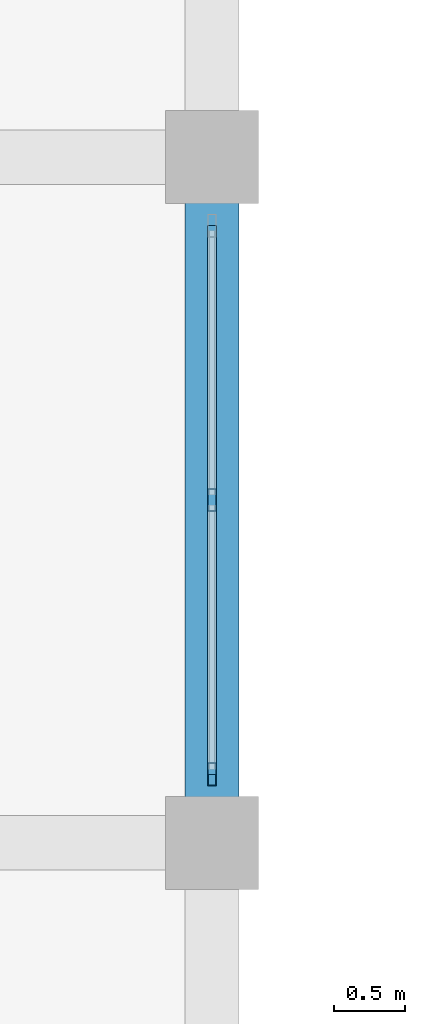
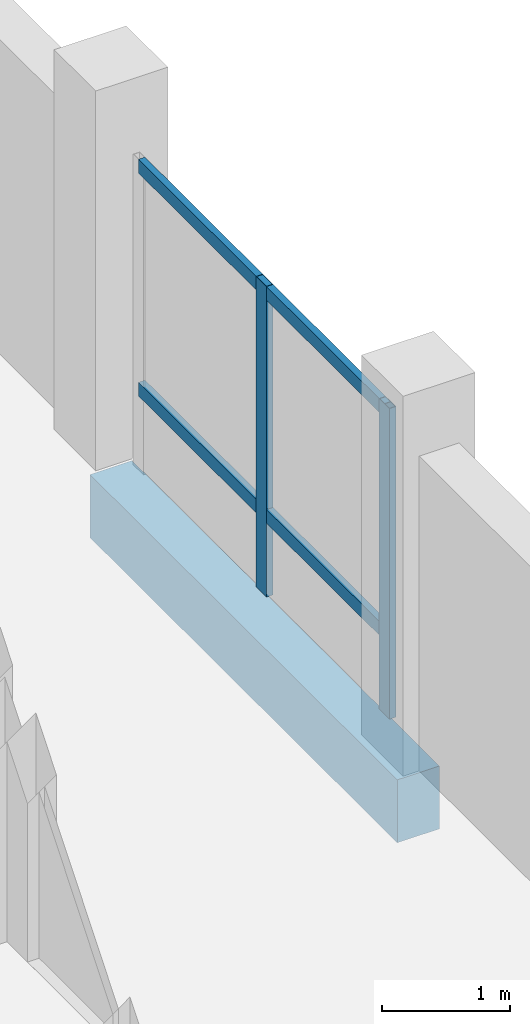
# One storey, part 11 of 93: 4 members, 1 beam, 1 element without a shape of its own.
"""IFC4 building model written with IfcOpenShell, lengths in metres."""

import ifcopenshell
import ifcopenshell.guid

model = None  # the IFC model being written
_history = None  # IfcOwnerHistory: only IFC2X3 demands one
_inside = {}  # id of a spatial element -> (the spatial element, [elements in it])
_under = {}  # id of a project, library or spatial element -> (it, [spatial elements below it])
_declared = {}  # id of a project -> (the project, [libraries it declares])
_typed = {}  # id of a type object -> (the type object, [elements of that type])
_made_of = {}  # id of a material, layer set ... -> (it, [elements and type objects made of it])


def new_model(schema):
    """Start an empty IFC model of exactly this schema.

    Asked for "IFC4X3", IfcOpenShell would pick the latest addendum, in which some entities
    have other attributes; the version numbers below select the first issue.
    IFC2X3 requires an IfcOwnerHistory on every rooted entity: one is made here for all.
    """
    global model, _history
    if schema == "IFC4X3":
        model = ifcopenshell.file(schema_version=(4, 3, 0, 0))
    else:
        model = ifcopenshell.file(schema=schema)
    _inside.clear()
    _under.clear()
    _declared.clear()
    _typed.clear()
    _made_of.clear()
    _history = None
    if model.schema == "IFC2X3":
        org = make("IfcOrganization", Name="unknown")
        user = make(
            "IfcPersonAndOrganization",
            ThePerson=make("IfcPerson", FamilyName="unknown"),
            TheOrganization=org,
        )
        app = make(
            "IfcApplication",
            ApplicationDeveloper=org,
            Version="unknown",
            ApplicationFullName="unknown",
            ApplicationIdentifier="unknown",
        )
        _history = make(
            "IfcOwnerHistory",
            OwningUser=user,
            OwningApplication=app,
            ChangeAction="ADDED",
            CreationDate=0,
        )
    return model


def make(cls, **values):
    """One entity of the class cls with the attributes given. An attribute that is None is left unset."""
    return model.create_entity(
        cls, **{name: value for name, value in values.items() if value is not None}
    )


def rooted(cls, **values):
    """An entity with a GlobalId (a new one), such as an element, a storey or a relation."""
    return make(cls, GlobalId=ifcopenshell.guid.new(), OwnerHistory=_history, **values)


def si_unit(unit_type, name, prefix=None):
    """IfcSIUnit, for example si_unit("LENGTHUNIT", "METRE", prefix="MILLI")."""
    return make("IfcSIUnit", UnitType=unit_type, Prefix=prefix, Name=name)


def assignment(units):
    """IfcUnitAssignment: the units of a project."""
    return None if units is None else make("IfcUnitAssignment", Units=units)


def point(xyz):
    """IfcCartesianPoint."""
    return None if xyz is None else make("IfcCartesianPoint", Coordinates=xyz)


def direction(xyz):
    """IfcDirection."""
    return None if xyz is None else make("IfcDirection", DirectionRatios=xyz)


def frame(location, z_axis=None, x_axis=None):
    """IfcAxis2Placement3D, a coordinate frame: its origin and axes. An axis left out is left unset."""
    return make(
        "IfcAxis2Placement3D",
        Location=point(location),
        Axis=direction(z_axis),
        RefDirection=direction(x_axis),
    )


def frame_2d(location, x_axis=None):
    """IfcAxis2Placement2D, a coordinate frame in the plane: its origin and x axis."""
    return make(
        "IfcAxis2Placement2D", Location=point(location), RefDirection=direction(x_axis)
    )


def origin():
    """The frame at (0, 0, 0) with its axes left unset."""
    return frame((0.0, 0.0, 0.0))


def origin_2d():
    """The frame at (0, 0) in the plane with its x axis left unset."""
    return frame_2d((0.0, 0.0))


def place(relative_to, where):
    """IfcLocalPlacement: puts the frame where relative to a parent placement (None: the world)."""
    return make(
        "IfcLocalPlacement", PlacementRelTo=relative_to, RelativePlacement=where
    )


def context(
    kind, dimensions, precision=None, world=None, true_north=None, identifier=None
):
    """IfcGeometricRepresentationContext, for example the 3D "Model" context."""
    return make(
        "IfcGeometricRepresentationContext",
        ContextIdentifier=identifier,
        ContextType=kind,
        CoordinateSpaceDimension=dimensions,
        Precision=precision,
        WorldCoordinateSystem=world,
        TrueNorth=true_north,
    )


def subcontext(parent, identifier, kind, view, scale=None):
    """IfcGeometricRepresentationSubContext, for example "Body" below "Model"."""
    return make(
        "IfcGeometricRepresentationSubContext",
        ContextIdentifier=identifier,
        ContextType=kind,
        ParentContext=parent,
        TargetScale=scale,
        TargetView=view,
    )


def project(units=None, contexts=None):
    """IfcProject with its units and contexts."""
    return rooted(
        "IfcProject",
        Name="project",
        RepresentationContexts=contexts,
        UnitsInContext=assignment(units),
    )


def spatial(cls, under=None, at=None, **own):
    """A site, building, storey or space (cls), placed at a placement, below another one or the project."""
    s = rooted(cls, ObjectPlacement=at, **own)
    if under is not None:
        _under.setdefault(under.id(), (under, []))[1].append(s)
    return s


def profile(cls, at=None, kind="AREA", **sizes):
    """A parametric profile (cls). Its sizes go by their IFC names, for example OverallWidth=200.0."""
    return make(cls, ProfileType=kind, Position=at, **sizes)


def rectangle(**sizes):
    """IfcRectangleProfileDef."""
    return profile("IfcRectangleProfileDef", **sizes)


def hollow_rectangle(**sizes):
    """IfcRectangleHollowProfileDef."""
    return profile("IfcRectangleHollowProfileDef", **sizes)


def extrude(swept, where, along, depth):
    """IfcExtrudedAreaSolid: the profile swept, set in the frame where, extruded along a direction by depth."""
    return make(
        "IfcExtrudedAreaSolid",
        SweptArea=swept,
        Position=where,
        ExtrudedDirection=direction(along),
        Depth=depth,
    )


def shape(context_of_items, identifier, shape_type, items):
    """IfcShapeRepresentation: the items that make up one representation, for example the "Body"."""
    return make(
        "IfcShapeRepresentation",
        ContextOfItems=context_of_items,
        RepresentationIdentifier=identifier,
        RepresentationType=shape_type,
        Items=items,
    )


def material(Name=None, Category=None):
    """IfcMaterial."""
    return make("IfcMaterial", Name=Name, Category=Category)


def material_profile(
    of_material, cross_section, Name=None, Category=None, Priority=None
):
    """IfcMaterialProfile: a cross section and its material."""
    return make(
        "IfcMaterialProfile",
        Name=Name,
        Material=of_material,
        Profile=cross_section,
        Priority=Priority,
        Category=Category,
    )


def profile_set(profiles, Name=None, composite=None):
    """IfcMaterialProfileSet."""
    return make(
        "IfcMaterialProfileSet",
        Name=Name,
        MaterialProfiles=profiles,
        CompositeProfile=composite,
    )


def made_of(thing, what):
    """Note that an element or type object is made of a material, layer set ...; save() writes the relation."""
    if what is not None:
        _made_of.setdefault(what.id(), (what, []))[1].append(thing)
    return thing


def type_object(cls, material=None, **own):
    """A type object (cls), such as IfcWallType, which elements share."""
    return made_of(rooted(cls, **own), material)


def element(
    cls,
    number,
    at=None,
    inside=None,
    cuts=None,
    type_object=None,
    material=None,
    context=None,
    identifier="Body",
    shape_type=None,
    held_by="IfcProductDefinitionShape",
    body=None,
    shapes=None,
    **own,
):
    """One element of the class cls, such as IfcWall. Its Tag is "e" and its number.

    at: its placement. inside: the storey or other place that contains it. cuts: it is an
    opening in that element (IfcRelVoidsElement). A single representation is given by context,
    identifier, shape_type and body (its items); several are given by shapes. held_by: the class
    of the entity that holds the representations. save() writes the other relations.
    """
    e = rooted(cls, Tag="e%d" % number, ObjectPlacement=at, **own)
    if body is not None:
        shapes = [shape(context, identifier, shape_type, body)]
    if shapes is not None:
        e.Representation = make(held_by, Representations=shapes)
    if inside is not None:
        _inside.setdefault(inside.id(), (inside, []))[1].append(e)
    if cuts is not None:
        rooted(
            "IfcRelVoidsElement", RelatingBuildingElement=cuts, RelatedOpeningElement=e
        )
    if type_object is not None:
        _typed.setdefault(type_object.id(), (type_object, []))[1].append(e)
    return made_of(e, material)


def aggregate(whole, parts):
    """IfcRelAggregates: a whole, such as a stair, and the parts it consists of."""
    return rooted("IfcRelAggregates", RelatingObject=whole, RelatedObjects=parts)


def save(model, path):
    """Write the relations noted so far, then the file.

    IfcRelAggregates (storeys below a building ...), IfcRelContainedInSpatialStructure (elements
    in a storey), IfcRelDefinesByType, IfcRelAssociatesMaterial and IfcRelDeclares: one each for
    every whole, place, type object, material and project.
    """
    for whole, parts in _under.values():
        aggregate(whole, parts)
    for where, things in _inside.values():
        rooted(
            "IfcRelContainedInSpatialStructure",
            RelatedElements=things,
            RelatingStructure=where,
        )
    for kind, things in _typed.values():
        rooted("IfcRelDefinesByType", RelatedObjects=things, RelatingType=kind)
    for what, things in _made_of.values():
        rooted("IfcRelAssociatesMaterial", RelatedObjects=things, RelatingMaterial=what)
    for by, libraries in _declared.values():
        rooted("IfcRelDeclares", RelatingContext=by, RelatedDefinitions=libraries)
    model.write(path)


model = new_model("IFC4")

# Units and contexts
model_context = context("Model", 3, precision=1e-05, world=origin(), true_north=direction((0.0, 1.0)))
body_context = subcontext(model_context, "Body", "Model", "MODEL_VIEW")
ifc_project = project(units=[si_unit("LENGTHUNIT", "METRE"), si_unit("AREAUNIT", "SQUARE_METRE"), si_unit("VOLUMEUNIT", "CUBIC_METRE"), si_unit("PLANEANGLEUNIT", "RADIAN"), si_unit("MASSUNIT", "GRAM", prefix="KILO")], contexts=[model_context])

# Site, building, storey
site_placement = place(None, origin())
site = spatial("IfcSite", under=ifc_project, at=site_placement, CompositionType="ELEMENT")
building_placement = place(site_placement, origin())
building = spatial("IfcBuilding", under=site, at=building_placement, Name="Zornivar Specialist Clinic", CompositionType="ELEMENT")
storey_placement = place(building_placement, frame((0.0, 0.0, 8.39990234375)))
storey = spatial("IfcBuildingStorey", under=building, at=storey_placement, Name="L02", CompositionType="ELEMENT", Elevation=8.39990234375)

# Beam
ifc_material_1 = material(Name="Concrete C30/37", Category="concrete")
ifc_material_profile_1 = material_profile(ifc_material_1, rectangle(XDim=0.3798828125, YDim=0.60009765625, at=origin_2d()), Name="RC 380x600")
ifc_profile_set_1 = profile_set([ifc_material_profile_1], Name="Concrete C30/37")
beam_type = type_object("IfcBeamType", Name="BM-RC-380x600", PredefinedType="BEAM", material=ifc_profile_set_1)
beam_placement = place(storey_placement, frame((14.39990234375, 43.199951171875, -0.579833984375), z_axis=(0.0, 1.0, 0.0), x_axis=(-1.0, 0.0, 0.0)))
element("IfcBeam", 1, at=beam_placement, inside=storey, type_object=beam_type, Name="bm:V2:L02:y:144:6", PredefinedType="BEAM", context=body_context, shape_type="SweptSolid", body=[
    extrude(rectangle(XDim=0.3798828125, YDim=0.60009765625, at=origin_2d()), origin(), (0.0, 0.0, 1.0), 4.800048828125),
])

# Curtain wall, members
ifc_material_2 = material(Name="Aluminium and Low-E Glass Curtain Wall", Category="aluminium")
curtain_wall_type = type_object("IfcCurtainWallType", Name="CW-REVAK-COURT", PredefinedType="NOTDEFINED", material=ifc_material_2)
curtain_wall_placement = place(storey_placement, origin())
curtain_wall = element("IfcCurtainWall", 2, at=curtain_wall_placement, inside=storey, type_object=curtain_wall_type, Name="cw:V2:L02:18", PredefinedType="NOTDEFINED")
ifc_material_3 = material(Name="Aluminium AW-6060", Category="aluminium")
ifc_material_profile_2 = material_profile(ifc_material_3, hollow_rectangle(XDim=0.06005859375, YDim=0.159912109375, WallThickness=0.00390625, at=origin_2d()), Name="ALU 60x160x4")
ifc_profile_set_2 = profile_set([ifc_material_profile_2], Name="Aluminium AW-6060")
member_type_1 = type_object("IfcMemberType", Name="CWM-MUL-160", PredefinedType="MULLION", material=ifc_profile_set_2)
member_1_placement = place(storey_placement, frame((14.39990234375, 43.679931640625, 0.0), z_axis=(0.0, 0.0, 1.0), x_axis=(1.0, 0.0, 0.0)))
member_1 = element("IfcMember", 3, at=member_1_placement, type_object=member_type_1, Name="cw:V2:L02:18:mul:0", PredefinedType="MULLION", context=body_context, shape_type="SweptSolid", body=[
    extrude(hollow_rectangle(XDim=0.06005859375, YDim=0.159912109375, WallThickness=0.00390625, at=origin_2d()), origin(), (0.0, 0.0, 1.0), 2.960205078125),
])
member_2_placement = place(storey_placement, frame((14.39990234375, 45.60009765625, 0.0), z_axis=(0.0, 0.0, 1.0), x_axis=(1.0, 0.0, 0.0)))
member_2 = element("IfcMember", 4, at=member_2_placement, type_object=member_type_1, Name="cw:V2:L02:18:mul:1", PredefinedType="MULLION", context=body_context, shape_type="SweptSolid", body=[
    extrude(hollow_rectangle(XDim=0.06005859375, YDim=0.159912109375, WallThickness=0.00390625, at=origin_2d()), origin(), (0.0, 0.0, 1.0), 2.960205078125),
])
ifc_material_4 = material(Name="Aluminium AW-6060", Category="aluminium")
ifc_material_profile_3 = material_profile(ifc_material_4, hollow_rectangle(XDim=0.06005859375, YDim=0.1298828125, WallThickness=0.00390625, at=origin_2d()), Name="ALU 60x130x4")
ifc_profile_set_3 = profile_set([ifc_material_profile_3], Name="Aluminium AW-6060")
member_type_2 = type_object("IfcMemberType", Name="CWM-TRN-130", PredefinedType="USERDEFINED", material=ifc_profile_set_3)
member_3_placement = place(storey_placement, frame((14.39990234375, 43.679931640625, 0.77001953125), z_axis=(0.0, 1.0, 0.0), x_axis=(-1.0, 0.0, 0.0)))
member_3 = element("IfcMember", 5, at=member_3_placement, type_object=member_type_2, Name="cw:V2:L02:18:trn:0", ObjectType="TRANSOM", PredefinedType="USERDEFINED", context=body_context, shape_type="SweptSolid", body=[
    extrude(hollow_rectangle(XDim=0.06005859375, YDim=0.1298828125, WallThickness=0.00390625, at=origin_2d()), origin(), (0.0, 0.0, 1.0), 3.840087890625),
])
member_4_placement = place(storey_placement, frame((14.39990234375, 43.679931640625, 2.89501953125), z_axis=(0.0, 1.0, 0.0), x_axis=(-1.0, 0.0, 0.0)))
member_4 = element("IfcMember", 6, at=member_4_placement, type_object=member_type_2, Name="cw:V2:L02:18:trn:1", ObjectType="TRANSOM", PredefinedType="USERDEFINED", context=body_context, shape_type="SweptSolid", body=[
    extrude(hollow_rectangle(XDim=0.06005859375, YDim=0.1298828125, WallThickness=0.00390625, at=origin_2d()), origin(), (0.0, 0.0, 1.0), 3.840087890625),
])
aggregate(curtain_wall, [member_1, member_2, member_3, member_4])

save(model, "model.ifc")
